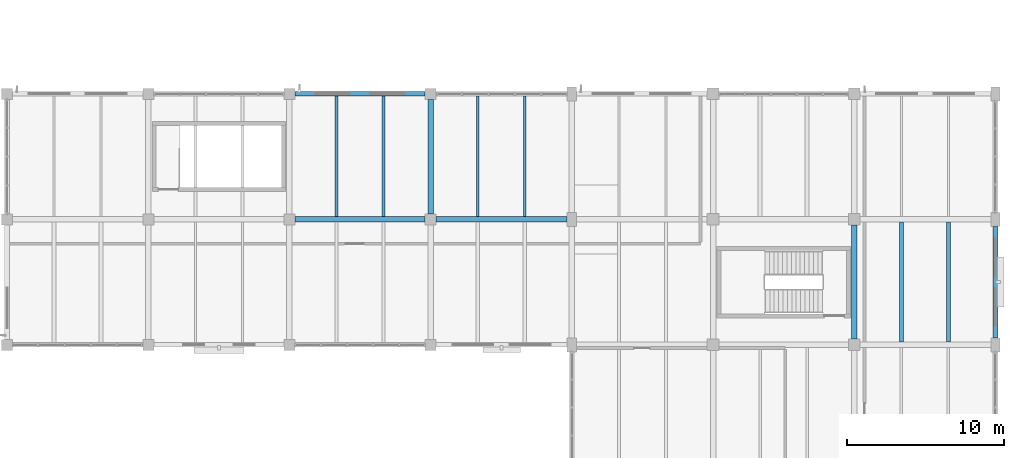
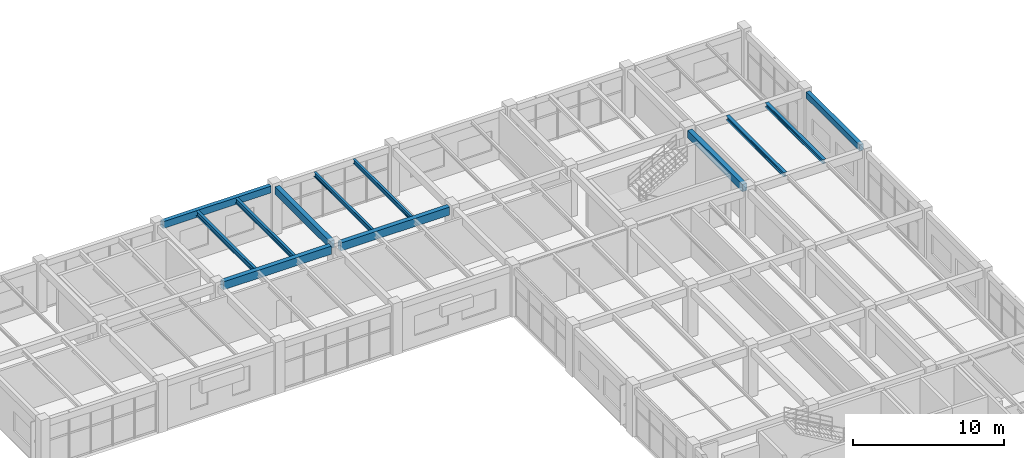
# One storey, part 92 of 128: 12 beams.
"""IFC4 building model written with IfcOpenShell, lengths in metres."""

from ifc_helpers import new_model, si_unit, derived_unit, direction, frame, origin, origin_2d, place, context, subcontext, project, spatial, rectangle, i_section, extrude, material, material_profile, profile_set, type_object, element, save


model = new_model("IFC4")

# Units and contexts
model_context = context("Model", 3, precision=1e-05, world=origin(), true_north=direction((0.0, 1.0)))
body_context = subcontext(model_context, "Body", "Model", "MODEL_VIEW")
ifc_project = project(units=[si_unit("LENGTHUNIT", "METRE"), si_unit("AREAUNIT", "SQUARE_METRE"), si_unit("VOLUMEUNIT", "CUBIC_METRE"), si_unit("PLANEANGLEUNIT", "RADIAN"), si_unit("MASSUNIT", "GRAM", prefix="KILO"), derived_unit("THERMALTRANSMITTANCEUNIT", [(si_unit("MASSUNIT", "GRAM", prefix="KILO"), 1), (si_unit("TIMEUNIT", "SECOND"), -3), (si_unit("THERMODYNAMICTEMPERATUREUNIT", "KELVIN"), -1)])], contexts=[model_context])

# Site, building, storey
site_placement = place(None, origin())
site = spatial("IfcSite", under=ifc_project, at=site_placement, CompositionType="ELEMENT")
building_placement = place(site_placement, origin())
building = spatial("IfcBuilding", under=site, at=building_placement, Name="Zhenchuan Archway Interchange", CompositionType="ELEMENT")
storey_placement = place(building_placement, frame((0.0, 0.0, 14.39990234375)))
storey = spatial("IfcBuildingStorey", under=building, at=storey_placement, Name="L03", CompositionType="ELEMENT", Elevation=14.39990234375)

# Beams
ifc_material_1 = material(Name="Concrete C40", Category="concrete")
ifc_material_profile_1 = material_profile(ifc_material_1, rectangle(XDim=0.35009765625, YDim=0.60009765625, at=origin_2d()), Name="RC 350x600")
ifc_profile_set_1 = profile_set([ifc_material_profile_1], Name="Concrete C40")
beam_type_1 = type_object("IfcBeamType", Name="BM_RC_350x600", PredefinedType="BEAM", material=ifc_profile_set_1)
beam_1_placement = place(storey_placement, frame((135.0, 96.35009765625, 3.64013671875), z_axis=(0.0, 1.0, 0.0), x_axis=(-1.0, 0.0, 0.0)))
element("IfcBeam", 1, at=beam_1_placement, inside=storey, type_object=beam_type_1, Name="Beam 16:N-O (L03)", PredefinedType="BEAM", context=body_context, shape_type="SweptSolid", body=[
    extrude(rectangle(XDim=0.35009765625, YDim=0.60009765625, at=origin_2d()), origin(), (0.0, 0.0, 1.0), 7.2998046875),
])
beam_2_placement = place(storey_placement, frame((162.0, 88.375, 3.630126953125), z_axis=(0.0, 1.0, 0.0), x_axis=(-1.0, 0.0, 0.0)))
element("IfcBeam", 2, at=beam_2_placement, inside=storey, type_object=beam_type_1, Name="Beam 19:M-N (L03)", PredefinedType="BEAM", context=body_context, shape_type="SweptSolid", body=[
    extrude(rectangle(XDim=0.35009765625, YDim=0.60009765625, at=origin_2d()), origin(), (0.0, 0.0, 1.0), 7.25),
])
ifc_material_profile_2 = material_profile(ifc_material_1, rectangle(XDim=0.35009765625, YDim=0.64990234375, at=origin_2d()), Name="RC 350x650")
ifc_profile_set_2 = profile_set([ifc_material_profile_2], Name="Concrete C40")
beam_type_2 = type_object("IfcBeamType", Name="BM_RC_350x650", PredefinedType="BEAM", material=ifc_profile_set_2)
beam_3_placement = place(storey_placement, frame((126.35009765625, 96.0, 3.614990234375), z_axis=(1.0, 0.0, 0.0), x_axis=(0.0, 1.0, 0.0)))
element("IfcBeam", 3, at=beam_3_placement, inside=storey, type_object=beam_type_2, Name="Beam N:15-16 (L03)", PredefinedType="BEAM", context=body_context, shape_type="SweptSolid", body=[
    extrude(rectangle(XDim=0.35009765625, YDim=0.64990234375, at=origin_2d()), origin(), (0.0, 0.0, 1.0), 8.2998046875),
])
beam_4_placement = place(storey_placement, frame((135.35009765625, 96.0, 3.614990234375), z_axis=(1.0, 0.0, 0.0), x_axis=(0.0, 1.0, 0.0)))
element("IfcBeam", 4, at=beam_4_placement, inside=storey, type_object=beam_type_2, Name="Beam N:16-17 (L03)", PredefinedType="BEAM", context=body_context, shape_type="SweptSolid", body=[
    extrude(rectangle(XDim=0.35009765625, YDim=0.64990234375, at=origin_2d()), origin(), (0.0, 0.0, 1.0), 8.349853515625),
])
ifc_material_2 = material(Name="Steel Q355", Category="steel")
ifc_material_profile_3 = material_profile(ifc_material_2, i_section(OverallWidth=0.25, OverallDepth=0.340087890625, WebThickness=0.009033203125, FlangeThickness=0.013916015625, FilletRadius=0.01806640625, at=origin_2d()), Name="HM 340x250")
ifc_profile_set_3 = profile_set([ifc_material_profile_3], Name="Steel Q355")
beam_type_3 = type_object("IfcBeamType", Name="JST_STL_HM340", PredefinedType="JOIST", material=ifc_profile_set_3)
for number, where, z_axis, x_axis, name in (
    (5, (165.0, 88.175048828125, 3.760009765625), (0.0, 1.0, 0.0), (-1.0, 0.0, 0.0), "Secondary joist 19-20/M-N #1 (L03)"),
    (6, (168.0, 88.175048828125, 3.760009765625), (0.0, 1.0, 0.0), (-1.0, 0.0, 0.0), "Secondary joist 19-20/M-N #2 (L03)"),
):
    element("IfcBeam", number, at=place(storey_placement, frame(where, z_axis=z_axis, x_axis=x_axis)), inside=storey, type_object=beam_type_3, Name=name, PredefinedType="JOIST", context=body_context, shape_type="SweptSolid", body=[
        extrude(i_section(OverallWidth=0.25, OverallDepth=0.340087890625, WebThickness=0.009033203125, FlangeThickness=0.013916015625, FilletRadius=0.01806640625, at=origin_2d()), origin(), (0.0, 0.0, 1.0), 7.64990234375),
    ])
ifc_material_profile_4 = material_profile(ifc_material_2, i_section(OverallWidth=0.175048828125, OverallDepth=0.35009765625, WebThickness=0.007080078125, FlangeThickness=0.010986328125, FilletRadius=0.013916015625, at=origin_2d()), Name="HN 350x175")
ifc_profile_set_4 = profile_set([ifc_material_profile_4], Name="Steel Q355")
beam_type_4 = type_object("IfcBeamType", Name="JST_STL_HN350", PredefinedType="JOIST", material=ifc_profile_set_4)
for number, where, z_axis, x_axis, name in (
    (7, (138.0, 96.175048828125, 3.76513671875), (0.0, 1.0, 0.0), (-1.0, 0.0, 0.0), "Secondary joist 16-17/N-O #1 (L03)"),
    (8, (141.0, 96.175048828125, 3.76513671875), (0.0, 1.0, 0.0), (-1.0, 0.0, 0.0), "Secondary joist 16-17/N-O #2 (L03)"),
):
    element("IfcBeam", number, at=place(storey_placement, frame(where, z_axis=z_axis, x_axis=x_axis)), inside=storey, type_object=beam_type_4, Name=name, PredefinedType="JOIST", context=body_context, shape_type="SweptSolid", body=[
        extrude(i_section(OverallWidth=0.175048828125, OverallDepth=0.35009765625, WebThickness=0.007080078125, FlangeThickness=0.010986328125, FilletRadius=0.013916015625, at=origin_2d()), origin(), (0.0, 0.0, 1.0), 7.675048828125),
    ])
ifc_material_profile_5 = material_profile(ifc_material_2, i_section(OverallWidth=0.199951171875, OverallDepth=0.39990234375, WebThickness=0.008056640625, FlangeThickness=0.012939453125, FilletRadius=0.01611328125, at=origin_2d()), Name="HN 400x200")
ifc_profile_set_5 = profile_set([ifc_material_profile_5], Name="Steel Q355")
beam_type_5 = type_object("IfcBeamType", Name="JST_STL_HN400", PredefinedType="JOIST", material=ifc_profile_set_5)
for number, where, z_axis, x_axis, name in (
    (9, (129.0, 96.175048828125, 3.739990234375), (0.0, 1.0, 0.0), (-1.0, 0.0, 0.0), "Secondary joist 15-16/N-O #1 (L03)"),
    (10, (132.0, 96.175048828125, 3.739990234375), (0.0, 1.0, 0.0), (-1.0, 0.0, 0.0), "Secondary joist 15-16/N-O #2 (L03)"),
):
    element("IfcBeam", number, at=place(storey_placement, frame(where, z_axis=z_axis, x_axis=x_axis)), inside=storey, type_object=beam_type_5, Name=name, PredefinedType="JOIST", context=body_context, shape_type="SweptSolid", body=[
        extrude(i_section(OverallWidth=0.199951171875, OverallDepth=0.39990234375, WebThickness=0.008056640625, FlangeThickness=0.012939453125, FilletRadius=0.01611328125, at=origin_2d()), origin(), (0.0, 0.0, 1.0), 7.675048828125),
    ])
ifc_material_profile_6 = material_profile(ifc_material_1, rectangle(XDim=0.300048828125, YDim=0.5, at=origin_2d()), Name="RC 300x500")
ifc_profile_set_6 = profile_set([ifc_material_profile_6], Name="Concrete C40")
beam_type_6 = type_object("IfcBeamType", Name="SP_RC_300x500", PredefinedType="SPANDREL", material=ifc_profile_set_6)
beam_5_placement = place(storey_placement, frame((171.0, 88.449951171875, 3.68017578125), z_axis=(0.0, 1.0, 0.0), x_axis=(-1.0, 0.0, 0.0)))
element("IfcBeam", 11, at=beam_5_placement, inside=storey, type_object=beam_type_6, Name="Beam 20:M-N (L03)", PredefinedType="SPANDREL", context=body_context, shape_type="SweptSolid", body=[
    extrude(rectangle(XDim=0.300048828125, YDim=0.5, at=origin_2d()), origin(), (0.0, 0.0, 1.0), 7.10009765625),
])
ifc_material_profile_7 = material_profile(ifc_material_1, rectangle(XDim=0.300048828125, YDim=0.550048828125, at=origin_2d()), Name="RC 300x550")
ifc_profile_set_7 = profile_set([ifc_material_profile_7], Name="Concrete C40")
beam_type_7 = type_object("IfcBeamType", Name="SP_RC_300x550", PredefinedType="SPANDREL", material=ifc_profile_set_7)
beam_6_placement = place(storey_placement, frame((126.35009765625, 104.0, 3.6650390625), z_axis=(1.0, 0.0, 0.0), x_axis=(0.0, 1.0, 0.0)))
element("IfcBeam", 12, at=beam_6_placement, inside=storey, type_object=beam_type_7, Name="Beam O:15-16 (L03)", PredefinedType="SPANDREL", context=body_context, shape_type="SweptSolid", body=[
    extrude(rectangle(XDim=0.300048828125, YDim=0.550048828125, at=origin_2d()), origin(), (0.0, 0.0, 1.0), 8.2998046875),
])

save(model, "model.ifc")
